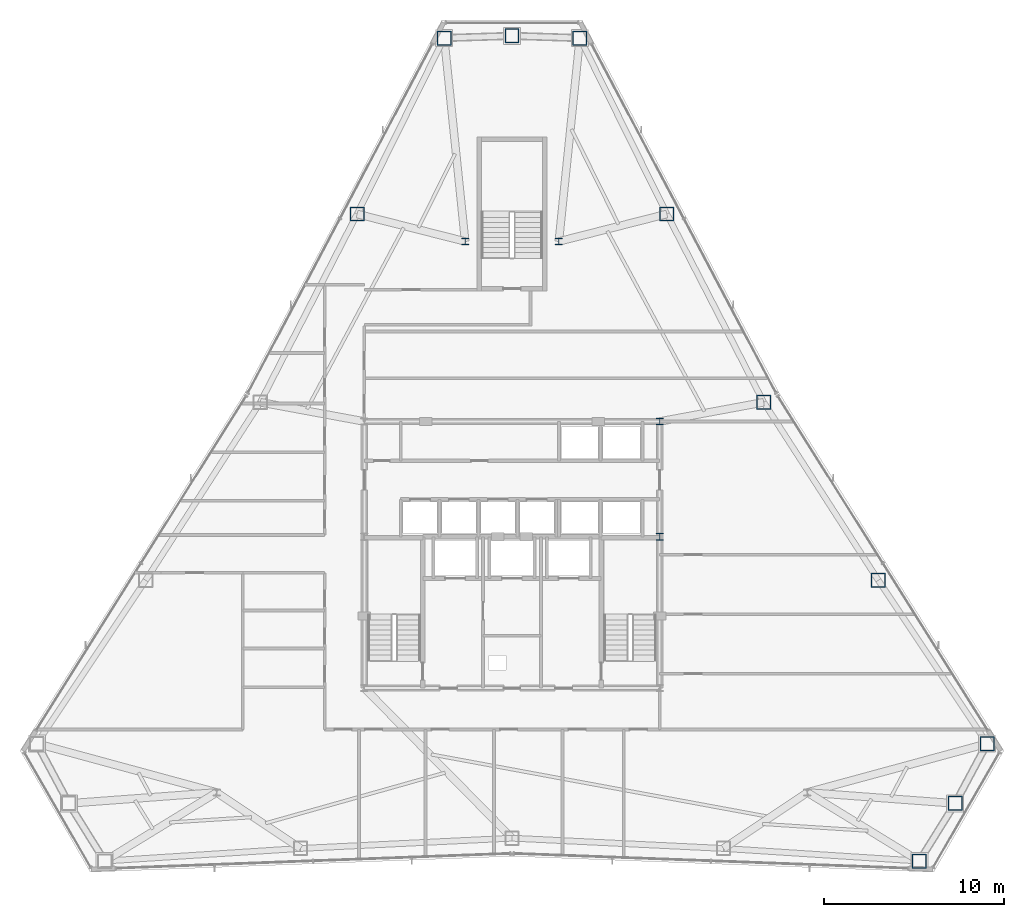
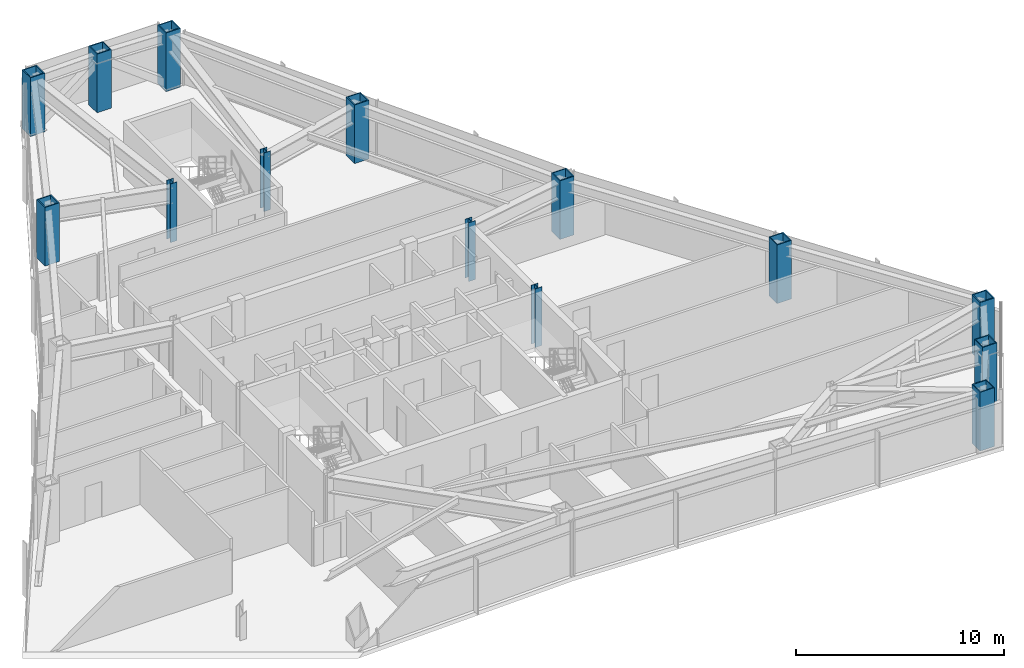
# One storey, part 2 of 13: 14 columns.
"""IFC4 building model written with IfcOpenShell, lengths in metres."""

from ifc_helpers import new_model, si_unit, direction, frame, origin, origin_2d, place, context, subcontext, project, spatial, hollow_rectangle, i_section, extrude, material, material_profile, profile_set, type_object, element, save


model = new_model("IFC4")

# Units and contexts
model_context = context("Model", 3, precision=1e-05, world=origin(), true_north=direction((0.0, 1.0)))
body_context = subcontext(model_context, "Body", "Model", "MODEL_VIEW")
ifc_project = project(units=[si_unit("LENGTHUNIT", "METRE"), si_unit("AREAUNIT", "SQUARE_METRE"), si_unit("VOLUMEUNIT", "CUBIC_METRE"), si_unit("PLANEANGLEUNIT", "RADIAN"), si_unit("MASSUNIT", "GRAM", prefix="KILO")], contexts=[model_context])

# Site, building, storey
site_placement = place(None, origin())
site = spatial("IfcSite", under=ifc_project, at=site_placement, CompositionType="ELEMENT")
building_placement = place(site_placement, origin())
building = spatial("IfcBuilding", under=site, at=building_placement, Name="Varakhsha Concourse Tower", CompositionType="ELEMENT")
storey_placement = place(building_placement, frame((0.0, 0.0, 175.800048828125)))
storey = spatial("IfcBuildingStorey", under=building, at=storey_placement, Name="L50", CompositionType="ELEMENT", Elevation=175.800048828125)

# Columns
ifc_material_1 = material(Name="Structural Steel ASTM A992 Grade 50", Category="steel")
ifc_material_profile_1 = material_profile(ifc_material_1, i_section(OverallWidth=0.3740234375, OverallDepth=0.3720703125, WebThickness=0.01611328125, FlangeThickness=0.02587890625, at=origin_2d()), Name="W14X132")
ifc_profile_set_1 = profile_set([ifc_material_profile_1], Name="Structural Steel ASTM A992 Grade 50")
column_type_1 = type_object("IfcColumnType", Name="CL-CORE-W14X132", PredefinedType="COLUMN", material=ifc_profile_set_1)
for number, where, z_axis, x_axis, name in (
    (1, (48.199951171875, 24.800048828125, 0.0), (0.0, 0.0, 1.0), (1.0, 0.0, 0.0), "L50 Core Column CC-ME"),
    (2, (48.199951171875, 31.199951171875, 0.0), (0.0, 0.0, 1.0), (1.0, 0.0, 0.0), "L50 Core Column CC-NE"),
    (3, (37.39990234375, 41.199951171875, 0.0), (0.0, 0.0, 1.0), (1.0, 0.0, 0.0), "L50 Core Column NS-W"),
    (4, (42.60009765625, 41.199951171875, 0.0), (0.0, 0.0, 1.0), (1.0, 0.0, 0.0), "L50 Core Column NS-E"),
):
    element("IfcColumn", number, at=place(storey_placement, frame(where, z_axis=z_axis, x_axis=x_axis)), inside=storey, type_object=column_type_1, Name=name, PredefinedType="COLUMN", context=body_context, shape_type="SweptSolid", body=[
        extrude(i_section(OverallWidth=0.3740234375, OverallDepth=0.3720703125, WebThickness=0.01611328125, FlangeThickness=0.02587890625, at=origin_2d()), origin(), (0.0, 0.0, 1.0), 3.449951171875),
    ])
ifc_material_2 = material(Name="Structural Steel ASTM A572 Grade 50", Category="steel")
ifc_material_profile_2 = material_profile(ifc_material_2, hollow_rectangle(XDim=0.800048828125, YDim=0.800048828125, WallThickness=0.054931640625, at=origin_2d()), Name="BOX 800x800x55")
ifc_profile_set_2 = profile_set([ifc_material_profile_2], Name="Structural Steel ASTM A572 Grade 50")
column_type_2 = type_object("IfcColumnType", Name="CL-TUBE-800", PredefinedType="COLUMN", material=ifc_profile_set_2)
for number, where, z_axis, x_axis, name in (
    (5, (43.7666015625, 52.4951171875, 0.0), (0.0, 0.0, 1.0), (1.0, 0.0, 0.0), "L50 Framed-Tube Column TC01"),
    (6, (40.0, 52.618408203125, 0.0), (0.0, 0.0, 1.0), (1.0, 0.0, 0.0), "L50 Framed-Tube Column TC02"),
    (7, (36.2333984375, 52.4951171875, 0.0), (0.0, 0.0, 1.0), (1.0, 0.0, 0.0), "L50 Framed-Tube Column TC03"),
    (8, (31.401611328125, 42.7255859375, 0.0), (0.0, 0.0, 1.0), (1.0, 0.0, 0.0), "L50 Framed-Tube Column TC04"),
    (9, (62.62109375, 6.79052734375, 0.0), (0.0, 0.0, 1.0), (1.0, 0.0, 0.0), "L50 Framed-Tube Column TC13"),
    (10, (64.611083984375, 9.99072265625, 0.0), (0.0, 0.0, 1.0), (1.0, 0.0, 0.0), "L50 Framed-Tube Column TC14"),
    (11, (66.3876953125, 13.314208984375, 0.0), (0.0, 0.0, 1.0), (1.0, 0.0, 0.0), "L50 Framed-Tube Column TC15"),
    (12, (60.3427734375, 22.383544921875, 0.0), (0.0, 0.0, 1.0), (1.0, 0.0, 0.0), "L50 Framed-Tube Column TC16"),
    (13, (53.976318359375, 32.269287109375, 0.0), (0.0, 0.0, 1.0), (1.0, 0.0, 0.0), "L50 Framed-Tube Column TC17"),
    (14, (48.598388671875, 42.7255859375, 0.0), (0.0, 0.0, 1.0), (1.0, 0.0, 0.0), "L50 Framed-Tube Column TC18"),
):
    element("IfcColumn", number, at=place(storey_placement, frame(where, z_axis=z_axis, x_axis=x_axis)), inside=storey, type_object=column_type_2, Name=name, PredefinedType="COLUMN", context=body_context, shape_type="SweptSolid", body=[
        extrude(hollow_rectangle(XDim=0.800048828125, YDim=0.800048828125, WallThickness=0.054931640625, at=origin_2d()), origin(), (0.0, 0.0, 1.0), 3.449951171875),
    ])

save(model, "model.ifc")
